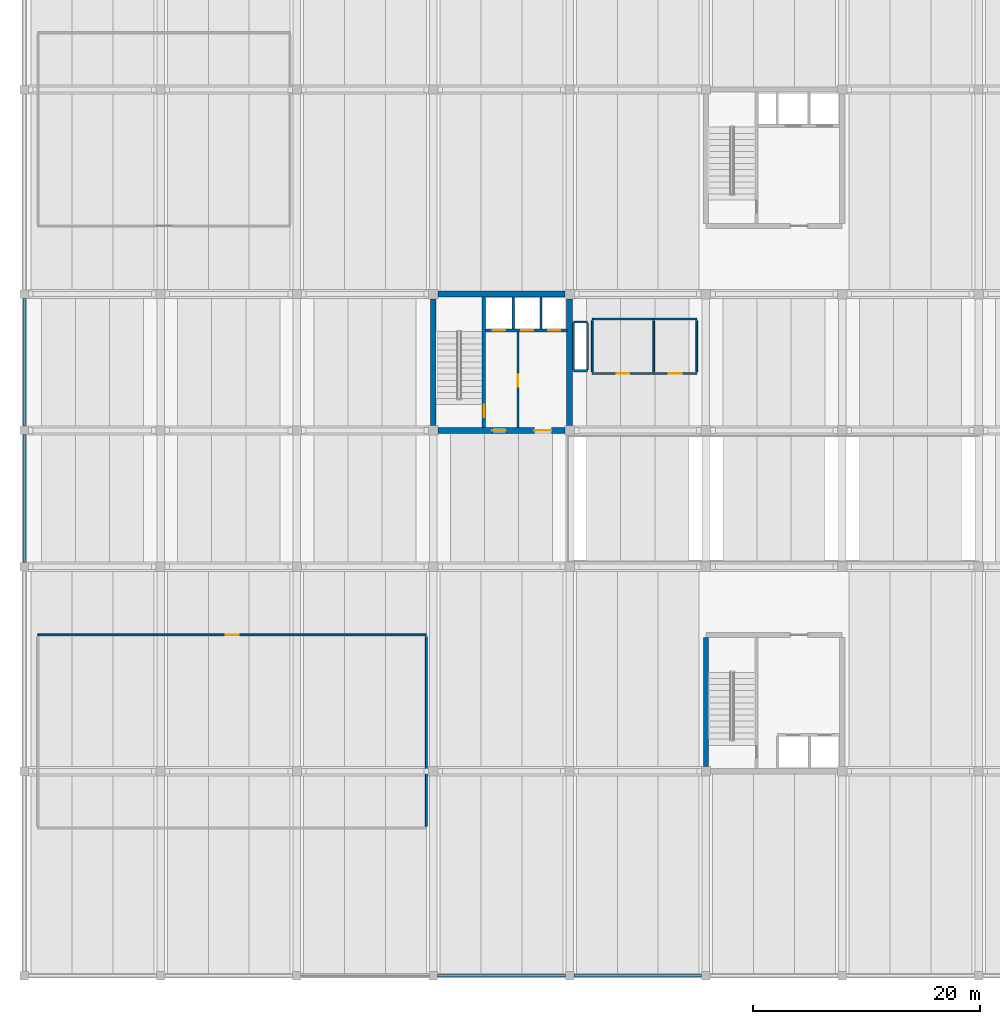
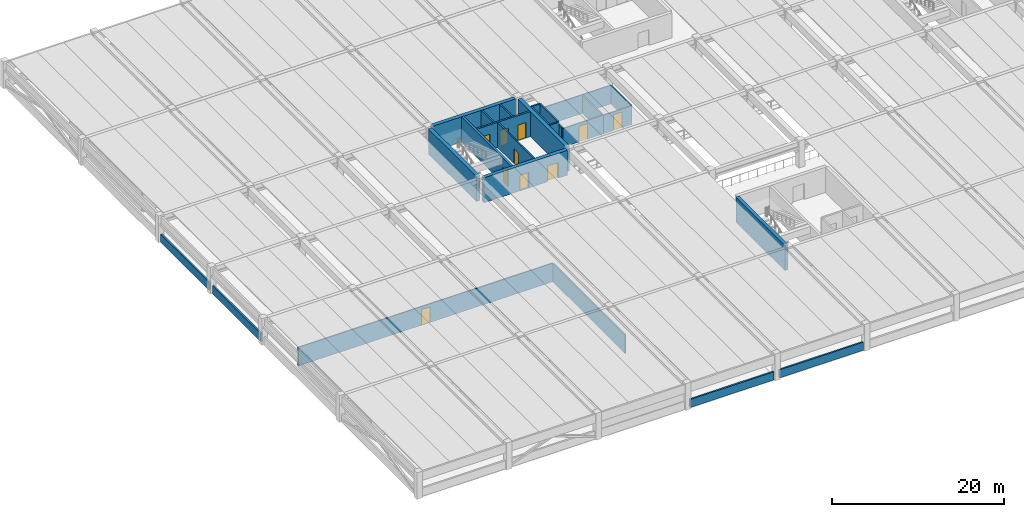
# One storey, part 7 of 16: 27 walls, 10 doors, 10 openings.
"""IFC4 building model written with IfcOpenShell, lengths in metres."""

import ifcopenshell
import ifcopenshell.guid

model = None  # the IFC model being written
_history = None  # IfcOwnerHistory: only IFC2X3 demands one
_inside = {}  # id of a spatial element -> (the spatial element, [elements in it])
_under = {}  # id of a project, library or spatial element -> (it, [spatial elements below it])
_declared = {}  # id of a project -> (the project, [libraries it declares])
_typed = {}  # id of a type object -> (the type object, [elements of that type])
_made_of = {}  # id of a material, layer set ... -> (it, [elements and type objects made of it])


def new_model(schema):
    """Start an empty IFC model of exactly this schema.

    Asked for "IFC4X3", IfcOpenShell would pick the latest addendum, in which some entities
    have other attributes; the version numbers below select the first issue.
    IFC2X3 requires an IfcOwnerHistory on every rooted entity: one is made here for all.
    """
    global model, _history
    if schema == "IFC4X3":
        model = ifcopenshell.file(schema_version=(4, 3, 0, 0))
    else:
        model = ifcopenshell.file(schema=schema)
    _inside.clear()
    _under.clear()
    _declared.clear()
    _typed.clear()
    _made_of.clear()
    _history = None
    if model.schema == "IFC2X3":
        org = make("IfcOrganization", Name="unknown")
        user = make(
            "IfcPersonAndOrganization",
            ThePerson=make("IfcPerson", FamilyName="unknown"),
            TheOrganization=org,
        )
        app = make(
            "IfcApplication",
            ApplicationDeveloper=org,
            Version="unknown",
            ApplicationFullName="unknown",
            ApplicationIdentifier="unknown",
        )
        _history = make(
            "IfcOwnerHistory",
            OwningUser=user,
            OwningApplication=app,
            ChangeAction="ADDED",
            CreationDate=0,
        )
    return model


def make(cls, **values):
    """One entity of the class cls with the attributes given. An attribute that is None is left unset."""
    return model.create_entity(
        cls, **{name: value for name, value in values.items() if value is not None}
    )


def rooted(cls, **values):
    """An entity with a GlobalId (a new one), such as an element, a storey or a relation."""
    return make(cls, GlobalId=ifcopenshell.guid.new(), OwnerHistory=_history, **values)


def si_unit(unit_type, name, prefix=None):
    """IfcSIUnit, for example si_unit("LENGTHUNIT", "METRE", prefix="MILLI")."""
    return make("IfcSIUnit", UnitType=unit_type, Prefix=prefix, Name=name)


def assignment(units):
    """IfcUnitAssignment: the units of a project."""
    return None if units is None else make("IfcUnitAssignment", Units=units)


def point(xyz):
    """IfcCartesianPoint."""
    return None if xyz is None else make("IfcCartesianPoint", Coordinates=xyz)


def direction(xyz):
    """IfcDirection."""
    return None if xyz is None else make("IfcDirection", DirectionRatios=xyz)


def frame(location, z_axis=None, x_axis=None):
    """IfcAxis2Placement3D, a coordinate frame: its origin and axes. An axis left out is left unset."""
    return make(
        "IfcAxis2Placement3D",
        Location=point(location),
        Axis=direction(z_axis),
        RefDirection=direction(x_axis),
    )


def frame_2d(location, x_axis=None):
    """IfcAxis2Placement2D, a coordinate frame in the plane: its origin and x axis."""
    return make(
        "IfcAxis2Placement2D", Location=point(location), RefDirection=direction(x_axis)
    )


def origin():
    """The frame at (0, 0, 0) with its axes left unset."""
    return frame((0.0, 0.0, 0.0))


def place(relative_to, where):
    """IfcLocalPlacement: puts the frame where relative to a parent placement (None: the world)."""
    return make(
        "IfcLocalPlacement", PlacementRelTo=relative_to, RelativePlacement=where
    )


def context(
    kind, dimensions, precision=None, world=None, true_north=None, identifier=None
):
    """IfcGeometricRepresentationContext, for example the 3D "Model" context."""
    return make(
        "IfcGeometricRepresentationContext",
        ContextIdentifier=identifier,
        ContextType=kind,
        CoordinateSpaceDimension=dimensions,
        Precision=precision,
        WorldCoordinateSystem=world,
        TrueNorth=true_north,
    )


def subcontext(parent, identifier, kind, view, scale=None):
    """IfcGeometricRepresentationSubContext, for example "Body" below "Model"."""
    return make(
        "IfcGeometricRepresentationSubContext",
        ContextIdentifier=identifier,
        ContextType=kind,
        ParentContext=parent,
        TargetScale=scale,
        TargetView=view,
    )


def project(units=None, contexts=None):
    """IfcProject with its units and contexts."""
    return rooted(
        "IfcProject",
        Name="project",
        RepresentationContexts=contexts,
        UnitsInContext=assignment(units),
    )


def spatial(cls, under=None, at=None, **own):
    """A site, building, storey or space (cls), placed at a placement, below another one or the project."""
    s = rooted(cls, ObjectPlacement=at, **own)
    if under is not None:
        _under.setdefault(under.id(), (under, []))[1].append(s)
    return s


def profile(cls, at=None, kind="AREA", **sizes):
    """A parametric profile (cls). Its sizes go by their IFC names, for example OverallWidth=200.0."""
    return make(cls, ProfileType=kind, Position=at, **sizes)


def rectangle(**sizes):
    """IfcRectangleProfileDef."""
    return profile("IfcRectangleProfileDef", **sizes)


def extrude(swept, where, along, depth):
    """IfcExtrudedAreaSolid: the profile swept, set in the frame where, extruded along a direction by depth."""
    return make(
        "IfcExtrudedAreaSolid",
        SweptArea=swept,
        Position=where,
        ExtrudedDirection=direction(along),
        Depth=depth,
    )


def shape(context_of_items, identifier, shape_type, items):
    """IfcShapeRepresentation: the items that make up one representation, for example the "Body"."""
    return make(
        "IfcShapeRepresentation",
        ContextOfItems=context_of_items,
        RepresentationIdentifier=identifier,
        RepresentationType=shape_type,
        Items=items,
    )


def material(Name=None, Category=None):
    """IfcMaterial."""
    return make("IfcMaterial", Name=Name, Category=Category)


def layer(
    of_material, thickness, ventilated=None, Name=None, Category=None, Priority=None
):
    """IfcMaterialLayer: one layer of a wall or slab, of a material (None: an air gap)."""
    return make(
        "IfcMaterialLayer",
        Material=of_material,
        LayerThickness=thickness,
        IsVentilated=ventilated,
        Name=Name,
        Category=Category,
        Priority=Priority,
    )


def layer_set(layers, Name=None):
    """IfcMaterialLayerSet."""
    return make("IfcMaterialLayerSet", MaterialLayers=layers, LayerSetName=Name)


def made_of(thing, what):
    """Note that an element or type object is made of a material, layer set ...; save() writes the relation."""
    if what is not None:
        _made_of.setdefault(what.id(), (what, []))[1].append(thing)
    return thing


def type_object(cls, material=None, **own):
    """A type object (cls), such as IfcWallType, which elements share."""
    return made_of(rooted(cls, **own), material)


def element(
    cls,
    number,
    at=None,
    inside=None,
    cuts=None,
    type_object=None,
    material=None,
    context=None,
    identifier="Body",
    shape_type=None,
    held_by="IfcProductDefinitionShape",
    body=None,
    shapes=None,
    **own,
):
    """One element of the class cls, such as IfcWall. Its Tag is "e" and its number.

    at: its placement. inside: the storey or other place that contains it. cuts: it is an
    opening in that element (IfcRelVoidsElement). A single representation is given by context,
    identifier, shape_type and body (its items); several are given by shapes. held_by: the class
    of the entity that holds the representations. save() writes the other relations.
    """
    e = rooted(cls, Tag="e%d" % number, ObjectPlacement=at, **own)
    if body is not None:
        shapes = [shape(context, identifier, shape_type, body)]
    if shapes is not None:
        e.Representation = make(held_by, Representations=shapes)
    if inside is not None:
        _inside.setdefault(inside.id(), (inside, []))[1].append(e)
    if cuts is not None:
        rooted(
            "IfcRelVoidsElement", RelatingBuildingElement=cuts, RelatedOpeningElement=e
        )
    if type_object is not None:
        _typed.setdefault(type_object.id(), (type_object, []))[1].append(e)
    return made_of(e, material)


def fill(opening, filler):
    """IfcRelFillsElement: the door or window that sits in an opening."""
    return rooted(
        "IfcRelFillsElement",
        RelatingOpeningElement=opening,
        RelatedBuildingElement=filler,
    )


def aggregate(whole, parts):
    """IfcRelAggregates: a whole, such as a stair, and the parts it consists of."""
    return rooted("IfcRelAggregates", RelatingObject=whole, RelatedObjects=parts)


def save(model, path):
    """Write the relations noted so far, then the file.

    IfcRelAggregates (storeys below a building ...), IfcRelContainedInSpatialStructure (elements
    in a storey), IfcRelDefinesByType, IfcRelAssociatesMaterial and IfcRelDeclares: one each for
    every whole, place, type object, material and project.
    """
    for whole, parts in _under.values():
        aggregate(whole, parts)
    for where, things in _inside.values():
        rooted(
            "IfcRelContainedInSpatialStructure",
            RelatedElements=things,
            RelatingStructure=where,
        )
    for kind, things in _typed.values():
        rooted("IfcRelDefinesByType", RelatedObjects=things, RelatingType=kind)
    for what, things in _made_of.values():
        rooted("IfcRelAssociatesMaterial", RelatedObjects=things, RelatingMaterial=what)
    for by, libraries in _declared.values():
        rooted("IfcRelDeclares", RelatingContext=by, RelatedDefinitions=libraries)
    model.write(path)


model = new_model("IFC4")

# Units and contexts
model_context = context("Model", 3, precision=1e-05, world=origin(), true_north=direction((0.0, 1.0)))
body_context = subcontext(model_context, "Body", "Model", "MODEL_VIEW")
ifc_project = project(units=[si_unit("LENGTHUNIT", "METRE"), si_unit("AREAUNIT", "SQUARE_METRE"), si_unit("VOLUMEUNIT", "CUBIC_METRE"), si_unit("PLANEANGLEUNIT", "RADIAN"), si_unit("MASSUNIT", "GRAM", prefix="KILO")], contexts=[model_context])

# Site, building, storey
site_placement = place(None, origin())
site = spatial("IfcSite", under=ifc_project, at=site_placement, CompositionType="ELEMENT")
building_placement = place(site_placement, origin())
building = spatial("IfcBuilding", under=site, at=building_placement, Name="Girod Span Mobility Hub", CompositionType="ELEMENT")
storey_placement = place(building_placement, frame((0.0, 0.0, 28.60009765625)))
storey = spatial("IfcBuildingStorey", under=building, at=storey_placement, Name="L07", CompositionType="ELEMENT", Elevation=28.60009765625)

# Wall
ifc_material_1 = material(Name="Concrete C40/50", Category="concrete")
ifc_layer_1 = layer(ifc_material_1, 0.449951171875)
ifc_layer_set_1 = layer_set([ifc_layer_1], Name="Concrete C40/50")
wall_type_1 = type_object("IfcWallType", Name="W-CW-450", PredefinedType="SHEAR", material=ifc_layer_set_1)
wall_1_placement = place(storey_placement, frame((72.0, 27.39697265625, 0.0), z_axis=(0.0, 0.0, 1.0), x_axis=(0.0, 1.0, 0.0)))
element("IfcWall", 1, at=wall_1_placement, inside=storey, type_object=wall_type_1, Name="Core C3 Shear Wall W L07", PredefinedType="SHEAR", context=body_context, shape_type="SweptSolid", body=[
    extrude(rectangle(XDim=11.381103515625, YDim=0.449951171875, at=frame_2d((5.6904296875, 0.0))), origin(), (0.0, 0.0, 1.0), 3.552978515625),
])

# Wall, openings, doors
ifc_material_2 = material(Name="Concrete C40/50", Category="concrete")
ifc_layer_2 = layer(ifc_material_2, 0.5)
ifc_layer_set_2 = layer_set([ifc_layer_2], Name="Concrete C40/50")
wall_type_2 = type_object("IfcWallType", Name="W-CW-500", PredefinedType="SHEAR", material=ifc_layer_set_2)
wall_2_placement = place(storey_placement, frame((48.422119140625, 57.0, 0.0), z_axis=(0.0, 0.0, 1.0), x_axis=(1.0, 0.0, 0.0)))
wall_2 = element("IfcWall", 2, at=wall_2_placement, inside=storey, type_object=wall_type_2, Name="Core C1 Shear Wall S L07", PredefinedType="SHEAR", context=body_context, shape_type="SweptSolid", body=[
    extrude(rectangle(XDim=11.15576171875, YDim=0.5, at=frame_2d((5.577880859375, 0.0))), origin(), (0.0, 0.0, 1.0), 3.552978515625),
])
opening_1_placement = place(wall_2_placement, frame((4.778076171875, 0.0, 0.0)))
opening_1 = element("IfcOpeningElement", 3, at=opening_1_placement, cuts=wall_2, Name="Opening D-FL-C1-L07", PredefinedType="OPENING", context=body_context, shape_type="SweptSolid", body=[
    extrude(rectangle(XDim=1.199951171875, YDim=2.199951171875, at=frame_2d((0.60009765625, 1.10009765625))), frame((0.0, 0.264892578125, 0.0), z_axis=(0.0, -1.0, 0.0), x_axis=(1.0, 0.0, 0.0)), (0.0, 0.0, 1.0), 0.530029296875),
])
opening_2_placement = place(wall_2_placement, frame((8.47802734375, 0.0, 0.0)))
opening_2 = element("IfcOpeningElement", 4, at=opening_2_placement, cuts=wall_2, Name="Opening D-LB-C1-L07", PredefinedType="OPENING", context=body_context, shape_type="SweptSolid", body=[
    extrude(rectangle(XDim=1.5, YDim=2.25, at=frame_2d((0.75, 1.125))), frame((0.0, 0.264892578125, 0.0), z_axis=(0.0, -1.0, 0.0), x_axis=(1.0, 0.0, 0.0)), (0.0, 0.0, 1.0), 0.530029296875),
])
ifc_material_3 = material(Name="Fire-Rated Insulated Hollow Metal Steel", Category="steel")
door_type_1 = type_object("IfcDoorType", Name="DT-FD-03", OperationType="DOUBLE_DOOR_SINGLE_SWING", PredefinedType="DOOR", material=ifc_material_3)
door_1_placement = place(opening_2_placement, origin())
door_1 = element("IfcDoor", 5, at=door_1_placement, inside=storey, type_object=door_type_1, Name="Lift Lobby Entry Door C1 L07", OperationType="DOUBLE_DOOR_SINGLE_SWING", OverallHeight=2.25, OverallWidth=1.5, PredefinedType="DOOR", context=body_context, shape_type="SweptSolid", body=[
    extrude(rectangle(XDim=1.5, YDim=2.25, at=frame_2d((0.75, 1.125))), frame((0.0, 0.02490234375, 0.0), z_axis=(0.0, -1.0, 0.0), x_axis=(1.0, 0.0, 0.0)), (0.0, 0.0, 1.0), 0.050048828125),
])
fill(opening_2, door_1)
ifc_material_4 = material(Name="Fire-Rated Insulated Hollow Metal Steel", Category="steel")
door_type_2 = type_object("IfcDoorType", Name="DT-FD-05", OperationType="NOTDEFINED", PredefinedType="DOOR", material=ifc_material_4)
door_2_placement = place(opening_1_placement, origin())
door_2 = element("IfcDoor", 6, at=door_2_placement, inside=storey, type_object=door_type_2, Name="Firefighting Lobby Entry Door C1 L07", OperationType="SINGLE_SWING_RIGHT", OverallHeight=2.199951171875, OverallWidth=1.199951171875, PredefinedType="DOOR", context=body_context, shape_type="SweptSolid", body=[
    extrude(rectangle(XDim=1.199951171875, YDim=2.199951171875, at=frame_2d((0.60009765625, 1.10009765625))), frame((0.0, 0.02490234375, 0.0), z_axis=(0.0, -1.0, 0.0), x_axis=(1.0, 0.0, 0.0)), (0.0, 0.0, 1.0), 0.050048828125),
])
fill(opening_1, door_2)

# Walls
for number, where, z_axis, x_axis, name in (
    (7, (48.422119140625, 69.0, 0.0), (0.0, 0.0, 1.0), (1.0, 0.0, 0.0), "Core C1 Shear Wall N L07"),
    (8, (48.0, 57.422119140625, 0.0), (0.0, 0.0, 1.0), (0.0, 1.0, 0.0), "Core C1 Shear Wall W L07"),
    (9, (60.0, 57.422119140625, 0.0), (0.0, 0.0, 1.0), (0.0, 1.0, 0.0), "Core C1 Shear Wall E L07"),
):
    element("IfcWall", number, at=place(storey_placement, frame(where, z_axis=z_axis, x_axis=x_axis)), inside=storey, type_object=wall_type_2, Name=name, PredefinedType="SHEAR", context=body_context, shape_type="SweptSolid", body=[
        extrude(rectangle(XDim=11.15576171875, YDim=0.5, at=frame_2d((5.577880859375, 0.0))), origin(), (0.0, 0.0, 1.0), 3.552978515625),
    ])

# Wall, opening, door
ifc_material_5 = material(Name="Concrete C40/50", Category="concrete")
ifc_layer_3 = layer(ifc_material_5, 0.18994140625)
ifc_layer_set_3 = layer_set([ifc_layer_3], Name="Concrete C40/50")
wall_type_3 = type_object("IfcWallType", Name="W-FL-190", PredefinedType="SOLIDWALL", material=ifc_layer_set_3)
wall_3_placement = place(storey_placement, frame((55.449951171875, 57.25, 0.0), z_axis=(0.0, 0.0, 1.0), x_axis=(0.0, 1.0, 0.0)))
wall_3 = element("IfcWall", 10, at=wall_3_placement, inside=storey, type_object=wall_type_3, Name="Core C1 Firefighting Lobby Wall L07", PredefinedType="SOLIDWALL", context=body_context, shape_type="SweptSolid", body=[
    extrude(rectangle(XDim=8.429931640625, YDim=0.18994140625, at=frame_2d((4.21484375, 0.0))), origin(), (0.0, 0.0, 1.0), 3.54296875),
])
opening_3_placement = place(wall_3_placement, frame((3.60009765625, 0.0, 0.0)))
opening_3 = element("IfcOpeningElement", 11, at=opening_3_placement, cuts=wall_3, Name="Opening D-FLX-C1-L07", PredefinedType="OPENING", context=body_context, shape_type="SweptSolid", body=[
    extrude(rectangle(XDim=1.0400390625, YDim=2.179931640625, at=frame_2d((0.52001953125, 1.08984375))), frame((0.0, 0.10986328125, 0.0), z_axis=(0.0, -1.0, 0.0), x_axis=(1.0, 0.0, 0.0)), (0.0, 0.0, 1.0), 0.219970703125),
])
ifc_material_6 = material(Name="Fire-Rated Insulated Hollow Metal Steel", Category="steel")
door_type_3 = type_object("IfcDoorType", Name="DT-FD-02", OperationType="NOTDEFINED", PredefinedType="DOOR", material=ifc_material_6)
door_3_placement = place(opening_3_placement, origin())
door_3 = element("IfcDoor", 12, at=door_3_placement, inside=storey, type_object=door_type_3, Name="Firefighting Lobby Interconnect Door C1 L07", OperationType="SINGLE_SWING_RIGHT", OverallHeight=2.179931640625, OverallWidth=1.0400390625, PredefinedType="DOOR", context=body_context, shape_type="SweptSolid", body=[
    extrude(rectangle(XDim=1.0400390625, YDim=2.179931640625, at=frame_2d((0.52001953125, 1.08984375))), frame((0.0, 0.02490234375, 0.0), z_axis=(0.0, -1.0, 0.0), x_axis=(1.0, 0.0, 0.0)), (0.0, 0.0, 1.0), 0.050048828125),
])
fill(opening_3, door_3)

ifc_material_7 = material(Name="Fire-Rated Gypsum Board on Metal Studs", Category="gypsum")
ifc_layer_4 = layer(ifc_material_7, 0.1650390625)
ifc_layer_set_4 = layer_set([ifc_layer_4], Name="Fire-Rated Gypsum Board on Metal Studs")
wall_type_4 = type_object("IfcWallType", Name="W-FP-165", PredefinedType="PARTITIONING", material=ifc_layer_set_4)
wall_4_placement = place(storey_placement, frame((13.199951171875, 39.0, 0.0), z_axis=(0.0, 0.0, 1.0), x_axis=(1.0, 0.0, 0.0)))
wall_4 = element("IfcWall", 13, at=wall_4_placement, inside=storey, type_object=wall_type_4, Name="Fleet Diagnostics Workshop Partition N", PredefinedType="PARTITIONING", context=body_context, shape_type="SweptSolid", body=[
    extrude(rectangle(XDim=34.199951171875, YDim=0.1650390625, at=frame_2d((17.10009765625, 0.0))), origin(), (0.0, 0.0, 1.0), 2.639892578125),
])
opening_4_placement = place(wall_4_placement, frame((16.530029296875, 0.0, 0.0)))
opening_4 = element("IfcOpeningElement", 14, at=opening_4_placement, cuts=wall_4, Name="Opening D-L07-FLT-DG", PredefinedType="OPENING", context=body_context, shape_type="SweptSolid", body=[
    extrude(rectangle(XDim=1.139892578125, YDim=2.239990234375, at=frame_2d((0.56982421875, 1.1201171875))), frame((0.0, 0.097412109375, 0.0), z_axis=(0.0, -1.0, 0.0), x_axis=(1.0, 0.0, 0.0)), (0.0, 0.0, 1.0), 0.195068359375),
])
ifc_material_8 = material(Name="Fire-Rated Insulated Hollow Metal Steel", Category="steel")
door_type_4 = type_object("IfcDoorType", Name="DT-FD-07", OperationType="NOTDEFINED", PredefinedType="DOOR", material=ifc_material_8)
door_4_placement = place(opening_4_placement, origin())
door_4 = element("IfcDoor", 15, at=door_4_placement, inside=storey, type_object=door_type_4, Name="Fleet Diagnostics Workshop Door", OperationType="SINGLE_SWING_LEFT", OverallHeight=2.239990234375, OverallWidth=1.139892578125, PredefinedType="DOOR", context=body_context, shape_type="SweptSolid", body=[
    extrude(rectangle(XDim=1.139892578125, YDim=2.239990234375, at=frame_2d((0.56982421875, 1.1201171875))), frame((0.0, 0.02490234375, 0.0), z_axis=(0.0, -1.0, 0.0), x_axis=(1.0, 0.0, 0.0)), (0.0, 0.0, 1.0), 0.050048828125),
])
fill(opening_4, door_4)

# Walls
wall_5_placement = place(storey_placement, frame((47.39990234375, 22.159912109375, 0.0), z_axis=(0.0, 0.0, 1.0), x_axis=(0.0, 1.0, 0.0)))
element("IfcWall", 16, at=wall_5_placement, inside=storey, type_object=wall_type_4, Name="Fleet Diagnostics Workshop Partition E", PredefinedType="PARTITIONING", context=body_context, shape_type="SweptSolid", body=[
    extrude(rectangle(XDim=16.68017578125, YDim=0.1650390625, at=frame_2d((8.340087890625, 0.0))), origin(), (0.0, 0.0, 1.0), 2.639892578125),
])
ifc_material_9 = material(Name="Precast Architectural Concrete C40/50", Category="concrete")
ifc_layer_5 = layer(ifc_material_9, 0.215087890625)
ifc_layer_set_5 = layer_set([ifc_layer_5], Name="Precast Architectural Concrete C40/50")
wall_type_5 = type_object("IfcWallType", Name="W-PAR-215", PredefinedType="PARAPET", material=ifc_layer_set_5)
for number, where, z_axis, x_axis, name in (
    (17, (48.373046875, 9.0, 0.0), (0.0, 0.0, 1.0), (1.0, 0.0, 0.0), "Precast Parking Barrier Parapet S-5 L07"),
    (18, (60.373046875, 9.0, 0.0), (0.0, 0.0, 1.0), (1.0, 0.0, 0.0), "Precast Parking Barrier Parapet S-6 L07"),
    (19, (12.0, 45.373046875, 0.0), (0.0, 0.0, 1.0), (0.0, 1.0, 0.0), "Precast Side Barrier Parapet W-D-1 L07"),
    (20, (12.0, 57.373046875, 0.0), (0.0, 0.0, 1.0), (0.0, 1.0, 0.0), "Precast Side Barrier Parapet W-E-1 L07"),
):
    element("IfcWall", number, at=place(storey_placement, frame(where, z_axis=z_axis, x_axis=x_axis)), inside=storey, type_object=wall_type_5, Name=name, PredefinedType="PARAPET", context=body_context, shape_type="SweptSolid", body=[
        extrude(rectangle(XDim=11.25390625, YDim=0.215087890625, at=frame_2d((5.626953125, 0.0))), origin(), (0.0, 0.0, 1.0), 1.14990234375),
    ])

# Wall, opening, door
ifc_material_10 = material(Name="Fire-Rated Gypsum Board on Metal Studs", Category="gypsum")
ifc_layer_6 = layer(ifc_material_10, 0.155029296875)
ifc_layer_set_6 = layer_set([ifc_layer_6], Name="Fire-Rated Gypsum Board on Metal Studs")
wall_type_6 = type_object("IfcWallType", Name="W-PLB-155", PredefinedType="PLUMBINGWALL", material=ifc_layer_set_6)
wall_6_placement = place(storey_placement, frame((62.0, 62.0, 0.0), z_axis=(0.0, 0.0, 1.0), x_axis=(1.0, 0.0, 0.0)))
wall_6 = element("IfcWall", 21, at=wall_6_placement, inside=storey, type_object=wall_type_6, Name="Restroom L07 Partition S", PredefinedType="PLUMBINGWALL", context=body_context, shape_type="SweptSolid", body=[
    extrude(rectangle(XDim=5.39990234375, YDim=0.155029296875, at=frame_2d((2.699951171875, 0.0))), origin(), (0.0, 0.0, 1.0), 2.639892578125),
])
opening_5_placement = place(wall_6_placement, frame((2.14501953125, 0.0, 0.0)))
opening_5 = element("IfcOpeningElement", 22, at=opening_5_placement, cuts=wall_6, Name="Opening D-L07-WC-MAIN", PredefinedType="OPENING", context=body_context, shape_type="SweptSolid", body=[
    extrude(rectangle(XDim=1.110107421875, YDim=2.2099609375, at=frame_2d((0.55517578125, 1.10498046875))), frame((0.0, 0.092529296875, 0.0), z_axis=(0.0, -1.0, 0.0), x_axis=(1.0, 0.0, 0.0)), (0.0, 0.0, 1.0), 0.18505859375),
])
ifc_material_11 = material(Name="Solid-Core Architectural Timber", Category="wood")
door_type_5 = type_object("IfcDoorType", Name="DT-NR-06", OperationType="NOTDEFINED", PredefinedType="DOOR", material=ifc_material_11)
door_5_placement = place(opening_5_placement, origin())
door_5 = element("IfcDoor", 23, at=door_5_placement, inside=storey, type_object=door_type_5, Name="Restroom L07 Door", OperationType="SINGLE_SWING_RIGHT", OverallHeight=2.2099609375, OverallWidth=1.110107421875, PredefinedType="DOOR", context=body_context, shape_type="SweptSolid", body=[
    extrude(rectangle(XDim=1.110107421875, YDim=2.2099609375, at=frame_2d((0.55517578125, 1.10498046875))), frame((0.0, 0.02490234375, 0.0), z_axis=(0.0, -1.0, 0.0), x_axis=(1.0, 0.0, 0.0)), (0.0, 0.0, 1.0), 0.050048828125),
])
fill(opening_5, door_5)

# Walls
wall_7_placement = place(storey_placement, frame((62.0, 66.800048828125, 0.0), z_axis=(0.0, 0.0, 1.0), x_axis=(1.0, 0.0, 0.0)))
element("IfcWall", 24, at=wall_7_placement, inside=storey, type_object=wall_type_6, Name="Restroom L07 Partition N", PredefinedType="PLUMBINGWALL", context=body_context, shape_type="SweptSolid", body=[
    extrude(rectangle(XDim=5.39990234375, YDim=0.155029296875, at=frame_2d((2.699951171875, 0.0))), origin(), (0.0, 0.0, 1.0), 2.639892578125),
])
for number, where, z_axis, x_axis, name in (
    (25, (62.0, 62.159912109375, 0.0), (0.0, 0.0, 1.0), (0.0, 1.0, 0.0), "Restroom L07 Partition W"),
    (26, (67.39990234375, 62.159912109375, 0.0), (0.0, 0.0, 1.0), (0.0, 1.0, 0.0), "Restroom L07 Partition E"),
):
    element("IfcWall", number, at=place(storey_placement, frame(where, z_axis=z_axis, x_axis=x_axis)), inside=storey, type_object=wall_type_6, Name=name, PredefinedType="PLUMBINGWALL", context=body_context, shape_type="SweptSolid", body=[
        extrude(rectangle(XDim=4.47998046875, YDim=0.155029296875, at=frame_2d((2.239990234375, 0.0))), origin(), (0.0, 0.0, 1.0), 2.639892578125),
    ])

# Wall, opening, door
wall_8_placement = place(storey_placement, frame((67.39990234375, 62.0, 0.0), z_axis=(0.0, 0.0, 1.0), x_axis=(1.0, 0.0, 0.0)))
wall_8 = element("IfcWall", 27, at=wall_8_placement, inside=storey, type_object=wall_type_6, Name="Accessible WC L07 Partition S", PredefinedType="PLUMBINGWALL", context=body_context, shape_type="SweptSolid", body=[
    extrude(rectangle(XDim=3.800048828125, YDim=0.155029296875, at=frame_2d((1.89990234375, 0.0))), origin(), (0.0, 0.0, 1.0), 2.639892578125),
])
opening_6_placement = place(wall_8_placement, frame((1.320068359375, 0.0, 0.0)))
opening_6 = element("IfcOpeningElement", 28, at=opening_6_placement, cuts=wall_8, Name="Opening D-L07-WC-ACC", PredefinedType="OPENING", context=body_context, shape_type="SweptSolid", body=[
    extrude(rectangle(XDim=1.159912109375, YDim=2.22998046875, at=frame_2d((0.580078125, 1.114990234375))), frame((0.0, 0.092529296875, 0.0), z_axis=(0.0, -1.0, 0.0), x_axis=(1.0, 0.0, 0.0)), (0.0, 0.0, 1.0), 0.18505859375),
])
ifc_material_12 = material(Name="Solid-Core Architectural Timber", Category="wood")
door_type_6 = type_object("IfcDoorType", Name="DT-NR-07", OperationType="NOTDEFINED", PredefinedType="DOOR", material=ifc_material_12)
door_6_placement = place(opening_6_placement, origin())
door_6 = element("IfcDoor", 29, at=door_6_placement, inside=storey, type_object=door_type_6, Name="Accessible WC L07 Door", OperationType="SINGLE_SWING_LEFT", OverallHeight=2.22998046875, OverallWidth=1.159912109375, PredefinedType="DOOR", context=body_context, shape_type="SweptSolid", body=[
    extrude(rectangle(XDim=1.159912109375, YDim=2.22998046875, at=frame_2d((0.580078125, 1.114990234375))), frame((0.0, 0.02490234375, 0.0), z_axis=(0.0, -1.0, 0.0), x_axis=(1.0, 0.0, 0.0)), (0.0, 0.0, 1.0), 0.050048828125),
])
fill(opening_6, door_6)

# Walls
wall_9_placement = place(storey_placement, frame((67.39990234375, 66.800048828125, 0.0), z_axis=(0.0, 0.0, 1.0), x_axis=(1.0, 0.0, 0.0)))
element("IfcWall", 30, at=wall_9_placement, inside=storey, type_object=wall_type_6, Name="Accessible WC L07 Partition N", PredefinedType="PLUMBINGWALL", context=body_context, shape_type="SweptSolid", body=[
    extrude(rectangle(XDim=3.800048828125, YDim=0.155029296875, at=frame_2d((1.89990234375, 0.0))), origin(), (0.0, 0.0, 1.0), 2.639892578125),
])
wall_10_placement = place(storey_placement, frame((71.199951171875, 62.159912109375, 0.0), z_axis=(0.0, 0.0, 1.0), x_axis=(0.0, 1.0, 0.0)))
element("IfcWall", 31, at=wall_10_placement, inside=storey, type_object=wall_type_6, Name="Accessible WC L07 Partition E", PredefinedType="PLUMBINGWALL", context=body_context, shape_type="SweptSolid", body=[
    extrude(rectangle(XDim=4.47998046875, YDim=0.155029296875, at=frame_2d((2.239990234375, 0.0))), origin(), (0.0, 0.0, 1.0), 2.639892578125),
])
ifc_material_13 = material(Name="Concrete C40/50", Category="concrete")
ifc_layer_7 = layer(ifc_material_13, 0.199951171875)
ifc_layer_set_7 = layer_set([ifc_layer_7], Name="Concrete C40/50")
wall_type_7 = type_object("IfcWallType", Name="W-SH-200", PredefinedType="SOLIDWALL", material=ifc_layer_set_7)
for number, where, z_axis, x_axis, name in (
    (32, (60.346923828125, 62.25, 0.0), (0.0, 0.0, 1.0), (1.0, 0.0, 0.0), "Sanitary Wet Riser Shaft Wall S L07"),
    (33, (60.346923828125, 66.550048828125, 0.0), (0.0, 0.0, 1.0), (1.0, 0.0, 0.0), "Sanitary Wet Riser Shaft Wall N L07"),
):
    element("IfcWall", number, at=place(storey_placement, frame(where, z_axis=z_axis, x_axis=x_axis)), inside=storey, type_object=wall_type_7, Name=name, PredefinedType="SOLIDWALL", context=body_context, shape_type="SweptSolid", body=[
        extrude(rectangle(XDim=1.233154296875, YDim=0.199951171875, at=frame_2d((0.61669921875, 0.0))), origin(), (0.0, 0.0, 1.0), 3.552978515625),
    ])
for number, where, z_axis, x_axis, name in (
    (34, (60.346923828125, 62.330078125, 0.0), (0.0, 0.0, 1.0), (0.0, 1.0, 0.0), "Sanitary Wet Riser Shaft Wall W L07"),
    (35, (61.580078125, 62.330078125, 0.0), (0.0, 0.0, 1.0), (0.0, 1.0, 0.0), "Sanitary Wet Riser Shaft Wall E L07"),
):
    element("IfcWall", number, at=place(storey_placement, frame(where, z_axis=z_axis, x_axis=x_axis)), inside=storey, type_object=wall_type_7, Name=name, PredefinedType="SOLIDWALL", context=body_context, shape_type="SweptSolid", body=[
        extrude(rectangle(XDim=4.139892578125, YDim=0.199951171875, at=frame_2d((2.06982421875, 0.0))), origin(), (0.0, 0.0, 1.0), 3.552978515625),
    ])
for number, where, z_axis, x_axis, name in (
    (36, (55.050048828125, 65.919921875, 0.0), (0.0, 0.0, 1.0), (0.0, 1.0, 0.0), "Core C1 Shaft Divider 1 L07"),
    (37, (57.47998046875, 65.919921875, 0.0), (0.0, 0.0, 1.0), (0.0, 1.0, 0.0), "Core C1 Shaft Divider 2 L07"),
):
    element("IfcWall", number, at=place(storey_placement, frame(where, z_axis=z_axis, x_axis=x_axis)), inside=storey, type_object=wall_type_7, Name=name, PredefinedType="SOLIDWALL", context=body_context, shape_type="SweptSolid", body=[
        extrude(rectangle(XDim=2.830078125, YDim=0.199951171875, at=frame_2d((1.4150390625, 0.0))), origin(), (0.0, 0.0, 1.0), 3.54296875),
    ])

# Wall, openings, doors
ifc_material_14 = material(Name="Concrete C40/50", Category="concrete")
ifc_layer_8 = layer(ifc_material_14, 0.25)
ifc_layer_set_8 = layer_set([ifc_layer_8], Name="Concrete C40/50")
wall_type_8 = type_object("IfcWallType", Name="W-SH-250", PredefinedType="SOLIDWALL", material=ifc_layer_set_8)
wall_11_placement = place(storey_placement, frame((52.596923828125, 65.800048828125, 0.0), z_axis=(0.0, 0.0, 1.0), x_axis=(1.0, 0.0, 0.0)))
wall_11 = element("IfcWall", 38, at=wall_11_placement, inside=storey, type_object=wall_type_8, Name="Core C1 Hoistway Front Wall L07", PredefinedType="SOLIDWALL", context=body_context, shape_type="SweptSolid", body=[
    extrude(rectangle(XDim=7.156005859375, YDim=0.25, at=frame_2d((3.578125, 0.0))), origin(), (0.0, 0.0, 1.0), 3.552978515625),
])
opening_7_placement = place(wall_11_placement, frame((0.653076171875, 0.0, 0.0)))
opening_7 = element("IfcOpeningElement", 39, at=opening_7_placement, cuts=wall_11, Name="Opening LD-FL-1-L07", PredefinedType="OPENING", context=body_context, shape_type="SweptSolid", body=[
    extrude(rectangle(XDim=1.10009765625, YDim=2.239990234375, at=frame_2d((0.550048828125, 1.1201171875))), frame((0.0, 0.139892578125, 0.0), z_axis=(0.0, -1.0, 0.0), x_axis=(1.0, 0.0, 0.0)), (0.0, 0.0, 1.0), 0.280029296875),
])
opening_8_placement = place(wall_11_placement, frame((3.153076171875, 0.0, 0.0)))
opening_8 = element("IfcOpeningElement", 40, at=opening_8_placement, cuts=wall_11, Name="Opening LD-LP-1-L07", PredefinedType="OPENING", context=body_context, shape_type="SweptSolid", body=[
    extrude(rectangle(XDim=1.050048828125, YDim=2.199951171875, at=frame_2d((0.52490234375, 1.10009765625))), frame((0.0, 0.139892578125, 0.0), z_axis=(0.0, -1.0, 0.0), x_axis=(1.0, 0.0, 0.0)), (0.0, 0.0, 1.0), 0.280029296875),
])
opening_9_placement = place(wall_11_placement, frame((5.528076171875, 0.0, 0.0)))
opening_9 = element("IfcOpeningElement", 41, at=opening_9_placement, cuts=wall_11, Name="Opening LD-LP-2-L07", PredefinedType="OPENING", context=body_context, shape_type="SweptSolid", body=[
    extrude(rectangle(XDim=1.050048828125, YDim=2.199951171875, at=frame_2d((0.52490234375, 1.10009765625))), frame((0.0, 0.139892578125, 0.0), z_axis=(0.0, -1.0, 0.0), x_axis=(1.0, 0.0, 0.0)), (0.0, 0.0, 1.0), 0.280029296875),
])
ifc_material_15 = material(Name="Brushed Stainless Steel Grade 304", Category="steel")
door_type_7 = type_object("IfcDoorType", Name="LD-FL-110", OperationType="SLIDING_TO_LEFT", PredefinedType="USERDEFINED", material=ifc_material_15)
door_7_placement = place(opening_7_placement, origin())
door_7 = element("IfcDoor", 42, at=door_7_placement, inside=storey, type_object=door_type_7, Name="Lift FL-1 Sliding Landing Door L07", ObjectType="LANDING DOOR", OperationType="SLIDING_TO_LEFT", OverallHeight=2.239990234375, OverallWidth=1.10009765625, PredefinedType="USERDEFINED", context=body_context, shape_type="SweptSolid", body=[
    extrude(rectangle(XDim=1.10009765625, YDim=2.239990234375, at=frame_2d((0.550048828125, 1.1201171875))), frame((0.0, 0.02490234375, 0.0), z_axis=(0.0, -1.0, 0.0), x_axis=(1.0, 0.0, 0.0)), (0.0, 0.0, 1.0), 0.050048828125),
])
fill(opening_7, door_7)
ifc_material_16 = material(Name="Brushed Stainless Steel Grade 304", Category="steel")
door_type_8 = type_object("IfcDoorType", Name="LD-LP-105", OperationType="SLIDING_TO_LEFT", PredefinedType="USERDEFINED", material=ifc_material_16)
door_8_placement = place(opening_8_placement, origin())
door_8 = element("IfcDoor", 43, at=door_8_placement, inside=storey, type_object=door_type_8, Name="Lift LP-1 Sliding Landing Door L07", ObjectType="LANDING DOOR", OperationType="SLIDING_TO_LEFT", OverallHeight=2.199951171875, OverallWidth=1.050048828125, PredefinedType="USERDEFINED", context=body_context, shape_type="SweptSolid", body=[
    extrude(rectangle(XDim=1.050048828125, YDim=2.199951171875, at=frame_2d((0.52490234375, 1.10009765625))), frame((0.0, 0.02490234375, 0.0), z_axis=(0.0, -1.0, 0.0), x_axis=(1.0, 0.0, 0.0)), (0.0, 0.0, 1.0), 0.050048828125),
])
fill(opening_8, door_8)
door_9_placement = place(opening_9_placement, origin())
door_9 = element("IfcDoor", 44, at=door_9_placement, inside=storey, type_object=door_type_8, Name="Lift LP-2 Sliding Landing Door L07", ObjectType="LANDING DOOR", OperationType="SLIDING_TO_LEFT", OverallHeight=2.199951171875, OverallWidth=1.050048828125, PredefinedType="USERDEFINED", context=body_context, shape_type="SweptSolid", body=[
    extrude(rectangle(XDim=1.050048828125, YDim=2.199951171875, at=frame_2d((0.52490234375, 1.10009765625))), frame((0.0, 0.02490234375, 0.0), z_axis=(0.0, -1.0, 0.0), x_axis=(1.0, 0.0, 0.0)), (0.0, 0.0, 1.0), 0.050048828125),
])
fill(opening_9, door_9)

# Wall, opening, door
ifc_material_17 = material(Name="Concrete C40/50", Category="concrete")
ifc_layer_9 = layer(ifc_material_17, 0.300048828125)
ifc_layer_set_9 = layer_set([ifc_layer_9], Name="Concrete C40/50")
wall_type_9 = type_object("IfcWallType", Name="W-SH-300", PredefinedType="SHEAR", material=ifc_layer_set_9)
wall_12_placement = place(storey_placement, frame((52.449951171875, 57.2470703125, 0.0), z_axis=(0.0, 0.0, 1.0), x_axis=(0.0, 1.0, 0.0)))
wall_12 = element("IfcWall", 45, at=wall_12_placement, inside=storey, type_object=wall_type_9, Name="Core C1 Stairwell Spine Wall L07", PredefinedType="SHEAR", context=body_context, shape_type="SweptSolid", body=[
    extrude(rectangle(XDim=11.505859375, YDim=0.300048828125, at=frame_2d((5.7529296875, 0.0))), origin(), (0.0, 0.0, 1.0), 3.552978515625),
])
opening_10_placement = place(wall_12_placement, frame((0.89990234375, 0.0, 0.0)))
opening_10 = element("IfcOpeningElement", 46, at=opening_10_placement, cuts=wall_12, Name="Opening D-ST-1-L07", PredefinedType="OPENING", context=body_context, shape_type="SweptSolid", body=[
    extrude(rectangle(XDim=1.10009765625, YDim=2.199951171875, at=frame_2d((0.550048828125, 1.10009765625))), frame((0.0, 0.1650390625, 0.0), z_axis=(0.0, -1.0, 0.0), x_axis=(1.0, 0.0, 0.0)), (0.0, 0.0, 1.0), 0.330078125),
])
ifc_material_18 = material(Name="Fire-Rated Insulated Hollow Metal Steel", Category="steel")
door_type_9 = type_object("IfcDoorType", Name="DT-FD-01", OperationType="NOTDEFINED", PredefinedType="DOOR", material=ifc_material_18)
door_10_placement = place(opening_10_placement, origin())
door_10 = element("IfcDoor", 47, at=door_10_placement, inside=storey, type_object=door_type_9, Name="Stair ST-1 Fire Door L07", OperationType="SINGLE_SWING_LEFT", OverallHeight=2.199951171875, OverallWidth=1.10009765625, PredefinedType="DOOR", context=body_context, shape_type="SweptSolid", body=[
    extrude(rectangle(XDim=1.10009765625, YDim=2.199951171875, at=frame_2d((0.550048828125, 1.10009765625))), frame((0.0, 0.02490234375, 0.0), z_axis=(0.0, -1.0, 0.0), x_axis=(1.0, 0.0, 0.0)), (0.0, 0.0, 1.0), 0.050048828125),
])
fill(opening_10, door_10)

save(model, "model.ifc")
